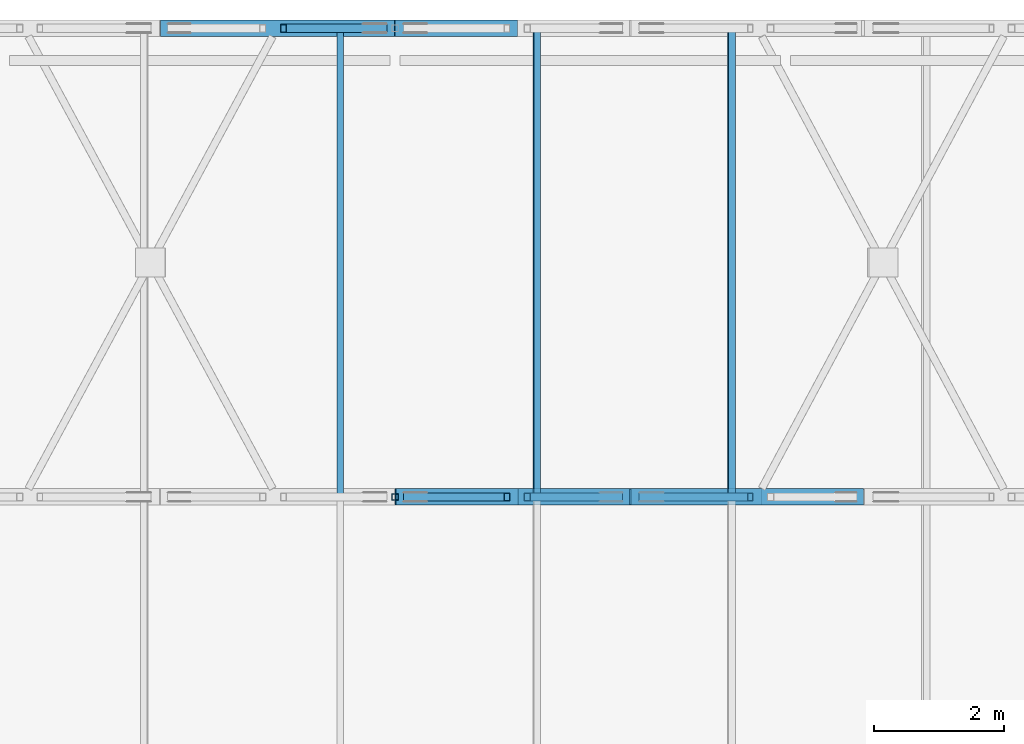
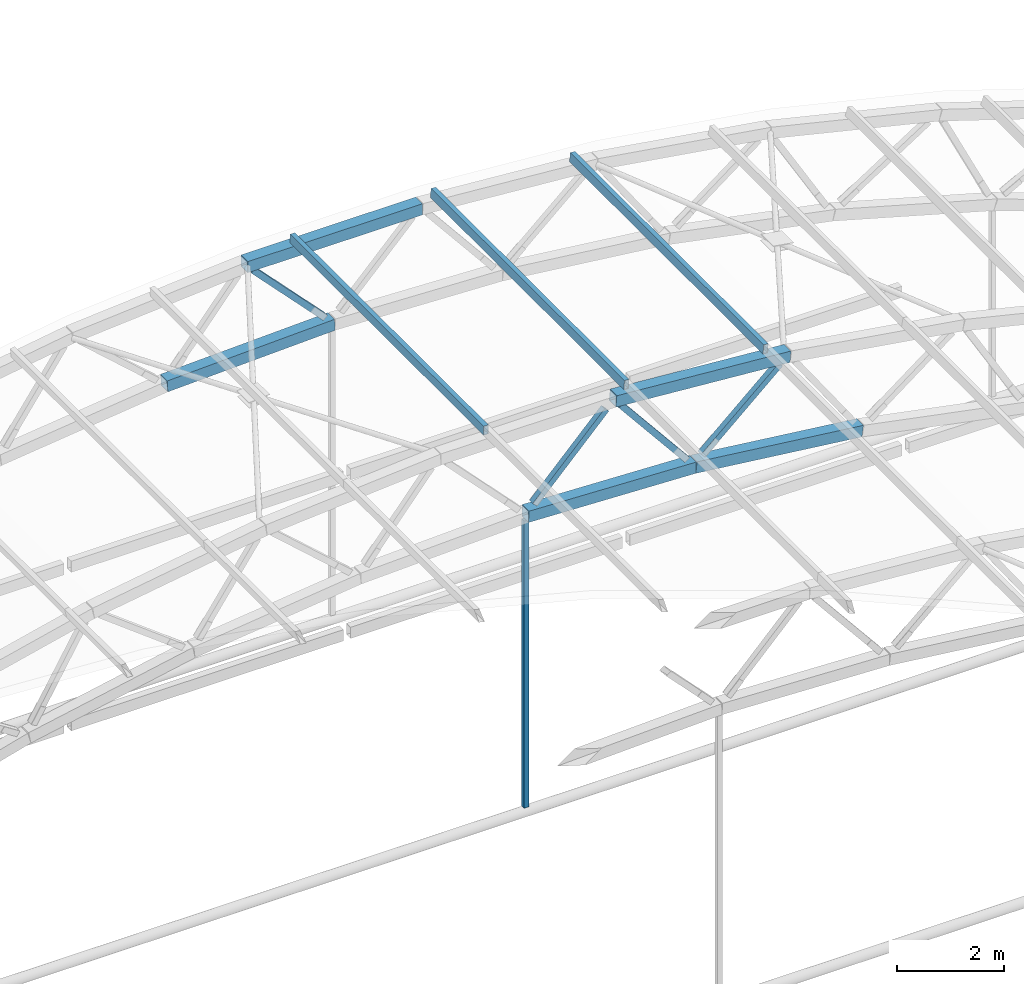
# One storey, part 29 of 127: 13 members.
"""IFC4 building model written with IfcOpenShell, lengths in metres."""

import ifcopenshell
import ifcopenshell.guid

model = None  # the IFC model being written
_history = None  # IfcOwnerHistory: only IFC2X3 demands one
_inside = {}  # id of a spatial element -> (the spatial element, [elements in it])
_under = {}  # id of a project, library or spatial element -> (it, [spatial elements below it])
_declared = {}  # id of a project -> (the project, [libraries it declares])
_typed = {}  # id of a type object -> (the type object, [elements of that type])
_made_of = {}  # id of a material, layer set ... -> (it, [elements and type objects made of it])


def new_model(schema):
    """Start an empty IFC model of exactly this schema.

    Asked for "IFC4X3", IfcOpenShell would pick the latest addendum, in which some entities
    have other attributes; the version numbers below select the first issue.
    IFC2X3 requires an IfcOwnerHistory on every rooted entity: one is made here for all.
    """
    global model, _history
    if schema == "IFC4X3":
        model = ifcopenshell.file(schema_version=(4, 3, 0, 0))
    else:
        model = ifcopenshell.file(schema=schema)
    _inside.clear()
    _under.clear()
    _declared.clear()
    _typed.clear()
    _made_of.clear()
    _history = None
    if model.schema == "IFC2X3":
        org = make("IfcOrganization", Name="unknown")
        user = make(
            "IfcPersonAndOrganization",
            ThePerson=make("IfcPerson", FamilyName="unknown"),
            TheOrganization=org,
        )
        app = make(
            "IfcApplication",
            ApplicationDeveloper=org,
            Version="unknown",
            ApplicationFullName="unknown",
            ApplicationIdentifier="unknown",
        )
        _history = make(
            "IfcOwnerHistory",
            OwningUser=user,
            OwningApplication=app,
            ChangeAction="ADDED",
            CreationDate=0,
        )
    return model


def make(cls, **values):
    """One entity of the class cls with the attributes given. An attribute that is None is left unset."""
    return model.create_entity(
        cls, **{name: value for name, value in values.items() if value is not None}
    )


def rooted(cls, **values):
    """An entity with a GlobalId (a new one), such as an element, a storey or a relation."""
    return make(cls, GlobalId=ifcopenshell.guid.new(), OwnerHistory=_history, **values)


def si_unit(unit_type, name, prefix=None):
    """IfcSIUnit, for example si_unit("LENGTHUNIT", "METRE", prefix="MILLI")."""
    return make("IfcSIUnit", UnitType=unit_type, Prefix=prefix, Name=name)


def assignment(units):
    """IfcUnitAssignment: the units of a project."""
    return None if units is None else make("IfcUnitAssignment", Units=units)


def point(xyz):
    """IfcCartesianPoint."""
    return None if xyz is None else make("IfcCartesianPoint", Coordinates=xyz)


def direction(xyz):
    """IfcDirection."""
    return None if xyz is None else make("IfcDirection", DirectionRatios=xyz)


def frame(location, z_axis=None, x_axis=None):
    """IfcAxis2Placement3D, a coordinate frame: its origin and axes. An axis left out is left unset."""
    return make(
        "IfcAxis2Placement3D",
        Location=point(location),
        Axis=direction(z_axis),
        RefDirection=direction(x_axis),
    )


def frame_2d(location, x_axis=None):
    """IfcAxis2Placement2D, a coordinate frame in the plane: its origin and x axis."""
    return make(
        "IfcAxis2Placement2D", Location=point(location), RefDirection=direction(x_axis)
    )


def origin():
    """The frame at (0, 0, 0) with its axes left unset."""
    return frame((0.0, 0.0, 0.0))


def origin_2d():
    """The frame at (0, 0) in the plane with its x axis left unset."""
    return frame_2d((0.0, 0.0))


def place(relative_to, where):
    """IfcLocalPlacement: puts the frame where relative to a parent placement (None: the world)."""
    return make(
        "IfcLocalPlacement", PlacementRelTo=relative_to, RelativePlacement=where
    )


def context(
    kind, dimensions, precision=None, world=None, true_north=None, identifier=None
):
    """IfcGeometricRepresentationContext, for example the 3D "Model" context."""
    return make(
        "IfcGeometricRepresentationContext",
        ContextIdentifier=identifier,
        ContextType=kind,
        CoordinateSpaceDimension=dimensions,
        Precision=precision,
        WorldCoordinateSystem=world,
        TrueNorth=true_north,
    )


def subcontext(parent, identifier, kind, view, scale=None):
    """IfcGeometricRepresentationSubContext, for example "Body" below "Model"."""
    return make(
        "IfcGeometricRepresentationSubContext",
        ContextIdentifier=identifier,
        ContextType=kind,
        ParentContext=parent,
        TargetScale=scale,
        TargetView=view,
    )


def project(units=None, contexts=None):
    """IfcProject with its units and contexts."""
    return rooted(
        "IfcProject",
        Name="project",
        RepresentationContexts=contexts,
        UnitsInContext=assignment(units),
    )


def spatial(cls, under=None, at=None, **own):
    """A site, building, storey or space (cls), placed at a placement, below another one or the project."""
    s = rooted(cls, ObjectPlacement=at, **own)
    if under is not None:
        _under.setdefault(under.id(), (under, []))[1].append(s)
    return s


def profile(cls, at=None, kind="AREA", **sizes):
    """A parametric profile (cls). Its sizes go by their IFC names, for example OverallWidth=200.0."""
    return make(cls, ProfileType=kind, Position=at, **sizes)


def hollow_rectangle(**sizes):
    """IfcRectangleHollowProfileDef."""
    return profile("IfcRectangleHollowProfileDef", **sizes)


def extrude(swept, where, along, depth):
    """IfcExtrudedAreaSolid: the profile swept, set in the frame where, extruded along a direction by depth."""
    return make(
        "IfcExtrudedAreaSolid",
        SweptArea=swept,
        Position=where,
        ExtrudedDirection=direction(along),
        Depth=depth,
    )


def shape(context_of_items, identifier, shape_type, items):
    """IfcShapeRepresentation: the items that make up one representation, for example the "Body"."""
    return make(
        "IfcShapeRepresentation",
        ContextOfItems=context_of_items,
        RepresentationIdentifier=identifier,
        RepresentationType=shape_type,
        Items=items,
    )


def material(Name=None, Category=None):
    """IfcMaterial."""
    return make("IfcMaterial", Name=Name, Category=Category)


def material_profile(
    of_material, cross_section, Name=None, Category=None, Priority=None
):
    """IfcMaterialProfile: a cross section and its material."""
    return make(
        "IfcMaterialProfile",
        Name=Name,
        Material=of_material,
        Profile=cross_section,
        Priority=Priority,
        Category=Category,
    )


def profile_set(profiles, Name=None, composite=None):
    """IfcMaterialProfileSet."""
    return make(
        "IfcMaterialProfileSet",
        Name=Name,
        MaterialProfiles=profiles,
        CompositeProfile=composite,
    )


def made_of(thing, what):
    """Note that an element or type object is made of a material, layer set ...; save() writes the relation."""
    if what is not None:
        _made_of.setdefault(what.id(), (what, []))[1].append(thing)
    return thing


def type_object(cls, material=None, **own):
    """A type object (cls), such as IfcWallType, which elements share."""
    return made_of(rooted(cls, **own), material)


def element(
    cls,
    number,
    at=None,
    inside=None,
    cuts=None,
    type_object=None,
    material=None,
    context=None,
    identifier="Body",
    shape_type=None,
    held_by="IfcProductDefinitionShape",
    body=None,
    shapes=None,
    **own,
):
    """One element of the class cls, such as IfcWall. Its Tag is "e" and its number.

    at: its placement. inside: the storey or other place that contains it. cuts: it is an
    opening in that element (IfcRelVoidsElement). A single representation is given by context,
    identifier, shape_type and body (its items); several are given by shapes. held_by: the class
    of the entity that holds the representations. save() writes the other relations.
    """
    e = rooted(cls, Tag="e%d" % number, ObjectPlacement=at, **own)
    if body is not None:
        shapes = [shape(context, identifier, shape_type, body)]
    if shapes is not None:
        e.Representation = make(held_by, Representations=shapes)
    if inside is not None:
        _inside.setdefault(inside.id(), (inside, []))[1].append(e)
    if cuts is not None:
        rooted(
            "IfcRelVoidsElement", RelatingBuildingElement=cuts, RelatedOpeningElement=e
        )
    if type_object is not None:
        _typed.setdefault(type_object.id(), (type_object, []))[1].append(e)
    return made_of(e, material)


def aggregate(whole, parts):
    """IfcRelAggregates: a whole, such as a stair, and the parts it consists of."""
    return rooted("IfcRelAggregates", RelatingObject=whole, RelatedObjects=parts)


def save(model, path):
    """Write the relations noted so far, then the file.

    IfcRelAggregates (storeys below a building ...), IfcRelContainedInSpatialStructure (elements
    in a storey), IfcRelDefinesByType, IfcRelAssociatesMaterial and IfcRelDeclares: one each for
    every whole, place, type object, material and project.
    """
    for whole, parts in _under.values():
        aggregate(whole, parts)
    for where, things in _inside.values():
        rooted(
            "IfcRelContainedInSpatialStructure",
            RelatedElements=things,
            RelatingStructure=where,
        )
    for kind, things in _typed.values():
        rooted("IfcRelDefinesByType", RelatedObjects=things, RelatingType=kind)
    for what, things in _made_of.values():
        rooted("IfcRelAssociatesMaterial", RelatedObjects=things, RelatingMaterial=what)
    for by, libraries in _declared.values():
        rooted("IfcRelDeclares", RelatingContext=by, RelatedDefinitions=libraries)
    model.write(path)


model = new_model("IFC4")

# Units and contexts
model_context = context("Model", 3, precision=1e-05, world=origin(), true_north=direction((0.0, 1.0)))
body_context = subcontext(model_context, "Body", "Model", "MODEL_VIEW")
ifc_project = project(units=[si_unit("LENGTHUNIT", "METRE"), si_unit("AREAUNIT", "SQUARE_METRE"), si_unit("VOLUMEUNIT", "CUBIC_METRE"), si_unit("PLANEANGLEUNIT", "RADIAN"), si_unit("MASSUNIT", "GRAM", prefix="KILO")], contexts=[model_context])

# Site, building, storey
site_placement = place(None, origin())
site = spatial("IfcSite", under=ifc_project, at=site_placement, CompositionType="ELEMENT")
building_placement = place(site_placement, origin())
building = spatial("IfcBuilding", under=site, at=building_placement, Name="Verrick Yard Athletic Hall", CompositionType="ELEMENT")
storey_placement = place(building_placement, frame((0.0, 0.0, 14.0)))
storey = spatial("IfcBuildingStorey", under=building, at=storey_placement, Name="L03", CompositionType="ELEMENT", Elevation=14.0)

# Members
ifc_material = material(Name="Structural steel HSS Class C 350W (CSA G40.20/G40.21)", Category="steel")
ifc_material_profile_1 = material_profile(ifc_material, hollow_rectangle(XDim=0.25390625, YDim=0.25390625, WallThickness=0.009521484375, at=origin_2d()), Name="HSS254x254x9.5")
ifc_profile_set_1 = profile_set([ifc_material_profile_1], Name="Structural steel HSS Class C 350W (CSA G40.20/G40.21)")
member_type_1 = type_object("IfcMemberType", Name="HB bottom chord HSS254x254x9.5", PredefinedType="CHORD", material=ifc_profile_set_1)
for number, where, z_axis, x_axis, name in (
    (1, (52.0048828125, 100.800048828125, 6.757080078125), (0.999229864493, 0.0, -0.039238729647), (0.0, 1.0, 0.0), "Truss TB5 bottom chord 8"),
    (2, (55.608154296875, 100.800048828125, 6.615234375), (0.993094882284, 0.0, -0.117313915545), (0.0, 1.0, 0.0), "Truss TB5 bottom chord 9"),
    (3, (48.401611328125, 108.0, 6.615966796875), (0.999229864493, 0.0, 0.039238729647), (0.0, 1.0, 0.0), "Truss TB6 bottom chord 7"),
):
    element("IfcMember", number, at=place(storey_placement, frame(where, z_axis=z_axis, x_axis=x_axis)), inside=storey, type_object=member_type_1, Name=name, PredefinedType="CHORD", context=body_context, shape_type="SweptSolid", body=[
        extrude(hollow_rectangle(XDim=0.25390625, YDim=0.25390625, WallThickness=0.009521484375, at=origin_2d()), origin(), (0.0, 0.0, 1.0), 3.59619140625),
    ])
ifc_material_profile_2 = material_profile(ifc_material, hollow_rectangle(XDim=0.1015625, YDim=0.203125, WallThickness=0.009521484375, at=origin_2d()), Name="HSS203x102x9.5")
ifc_profile_set_2 = profile_set([ifc_material_profile_2], Name="Structural steel HSS Class C 350W (CSA G40.20/G40.21)")
member_type_2 = type_object("IfcMemberType", Name="HB purlin HSS203x102x9.5", PredefinedType="PURLIN", material=ifc_profile_set_2)
for number, where, z_axis, x_axis, name in (
    (4, (51.15966796875, 100.800048828125, 8.948974609375), (0.0, 1.0, 0.0), (-1.0, 0.0, 0.0), "HB-PU-B-5-9"),
    (5, (54.1767578125, 100.800048828125, 8.92626953125), (0.0, 1.0, 0.0), (-0.996927304266, 0.0, 0.078332305011), "HB-PU-B-5-10"),
    (6, (57.16748046875, 100.800048828125, 8.69140625), (0.0, 1.0, 0.0), (-0.996927304266, 0.0, 0.078332305011), "HB-PU-B-5-11"),
):
    element("IfcMember", number, at=place(storey_placement, frame(where, z_axis=z_axis, x_axis=x_axis)), inside=storey, type_object=member_type_2, Name=name, PredefinedType="PURLIN", context=body_context, shape_type="SweptSolid", body=[
        extrude(hollow_rectangle(XDim=0.1015625, YDim=0.203125, WallThickness=0.009521484375, at=origin_2d()), origin(), (0.0, 0.0, 1.0), 7.199951171875),
    ])
ifc_material_profile_3 = material_profile(ifc_material, hollow_rectangle(XDim=0.25390625, YDim=0.25390625, WallThickness=0.009521484375, at=origin_2d()), Name="HSS254x254x9.5")
ifc_profile_set_3 = profile_set([ifc_material_profile_3], Name="Structural steel HSS Class C 350W (CSA G40.20/G40.21)")
member_type_3 = type_object("IfcMemberType", Name="HB top chord HSS254x254x9.5", PredefinedType="CHORD", material=ifc_profile_set_3)
member_1_placement = place(storey_placement, frame((53.886474609375, 100.800048828125, 8.719970703125), z_axis=(0.99692762922, 0.0, -0.07832816925), x_axis=(0.0, 1.0, 0.0)))
element("IfcMember", 7, at=member_1_placement, inside=storey, type_object=member_type_3, Name="Truss TB5 top chord 9", PredefinedType="CHORD", context=body_context, shape_type="SweptSolid", body=[
    extrude(hollow_rectangle(XDim=0.25390625, YDim=0.25390625, WallThickness=0.009521484375, at=origin_2d()), origin(), (0.0, 0.0, 1.0), 3.752685546875),
])
member_2_placement = place(storey_placement, frame((50.12353515625, 108.0, 8.72021484375), z_axis=(1.0, 0.0, 0.0), x_axis=(0.0, 1.0, 0.0)))
element("IfcMember", 8, at=member_2_placement, inside=storey, type_object=member_type_3, Name="Truss TB6 top chord 8", PredefinedType="CHORD", context=body_context, shape_type="SweptSolid", body=[
    extrude(hollow_rectangle(XDim=0.25390625, YDim=0.25390625, WallThickness=0.009521484375, at=origin_2d()), origin(), (0.0, 0.0, 1.0), 3.7529296875),
])
ifc_material_profile_4 = material_profile(ifc_material, hollow_rectangle(XDim=0.1015625, YDim=0.1015625, WallThickness=0.00634765625, at=origin_2d()), Name="HSS102x102x6.4")
ifc_profile_set_4 = profile_set([ifc_material_profile_4], Name="Structural steel HSS Class C 350W (CSA G40.20/G40.21)")
member_type_4 = type_object("IfcMemberType", Name="HB truss hanger HSS102x102x6.4", PredefinedType="MEMBER", material=ifc_profile_set_4)
member_3_placement = place(storey_placement, frame((52.0, 100.800048828125, 6.628173828125), z_axis=(0.0, 0.0, -1.0), x_axis=(0.0, -1.0, 0.0)))
element("IfcMember", 9, at=member_3_placement, inside=storey, type_object=member_type_4, Name="Truss TB5 hanger 2", PredefinedType="MEMBER", context=body_context, shape_type="SweptSolid", body=[
    extrude(hollow_rectangle(XDim=0.1015625, YDim=0.1015625, WallThickness=0.00634765625, at=origin_2d()), origin(), (0.0, 0.0, 1.0), 6.5185546875),
])
ifc_material_profile_5 = material_profile(ifc_material, hollow_rectangle(XDim=0.126953125, YDim=0.126953125, WallThickness=0.009521484375, at=origin_2d()), Name="HSS127x127x9.5")
ifc_profile_set_5 = profile_set([ifc_material_profile_5], Name="Structural steel HSS Class C 350W (CSA G40.20/G40.21)")
member_type_5 = type_object("IfcMemberType", Name="HB truss web HSS127x127x9.5", PredefinedType="BRACE", material=ifc_profile_set_5)
member_4_placement = place(storey_placement, frame((52.172119140625, 100.800048828125, 6.936767578125), z_axis=(0.691917233653, 0.0, 0.721976829112), x_axis=(0.0, 1.0, 0.0)))
element("IfcMember", 10, at=member_4_placement, inside=storey, type_object=member_type_5, Name="Truss TB5 web 15", PredefinedType="BRACE", context=body_context, shape_type="SweptSolid", body=[
    extrude(hollow_rectangle(XDim=0.126953125, YDim=0.126953125, WallThickness=0.009521484375, at=origin_2d()), origin(), (0.0, 0.0, 1.0), 2.2333984375),
])
for number, where, z_axis, x_axis, name in (
    (11, (54.03125, 100.800048828125, 8.537109375), (0.633267548908, 0.0, -0.773932950262), (0.0, 1.0, 0.0), "Truss TB5 web 16"),
    (12, (55.788818359375, 100.800048828125, 6.781494140625), (0.746389338881, 0.0, 0.66550954524), (0.0, 1.0, 0.0), "Truss TB5 web 17"),
):
    element("IfcMember", number, at=place(storey_placement, frame(where, z_axis=z_axis, x_axis=x_axis)), inside=storey, type_object=member_type_5, Name=name, PredefinedType="BRACE", context=body_context, shape_type="SweptSolid", body=[
        extrude(hollow_rectangle(XDim=0.126953125, YDim=0.126953125, WallThickness=0.009521484375, at=origin_2d()), origin(), (0.0, 0.0, 1.0), 2.233642578125),
    ])
member_5_placement = place(storey_placement, frame((50.282470703125, 108.0, 8.54931640625), z_axis=(0.691917233653, 0.0, -0.721976829112), x_axis=(0.0, 1.0, 0.0)))
element("IfcMember", 13, at=member_5_placement, inside=storey, type_object=member_type_5, Name="Truss TB6 web 14", PredefinedType="BRACE", context=body_context, shape_type="SweptSolid", body=[
    extrude(hollow_rectangle(XDim=0.126953125, YDim=0.126953125, WallThickness=0.009521484375, at=origin_2d()), origin(), (0.0, 0.0, 1.0), 2.2333984375),
])

save(model, "model.ifc")
